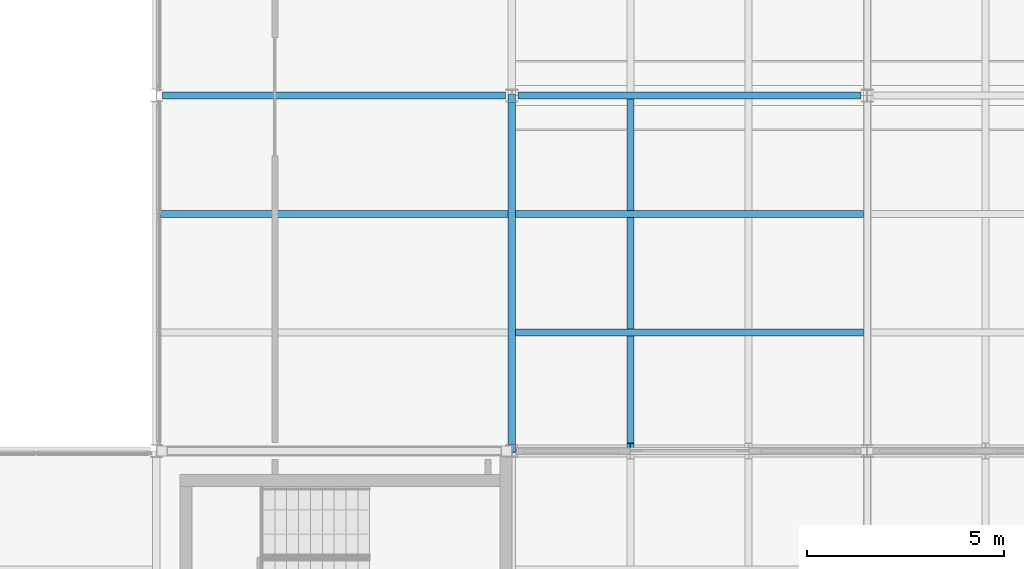
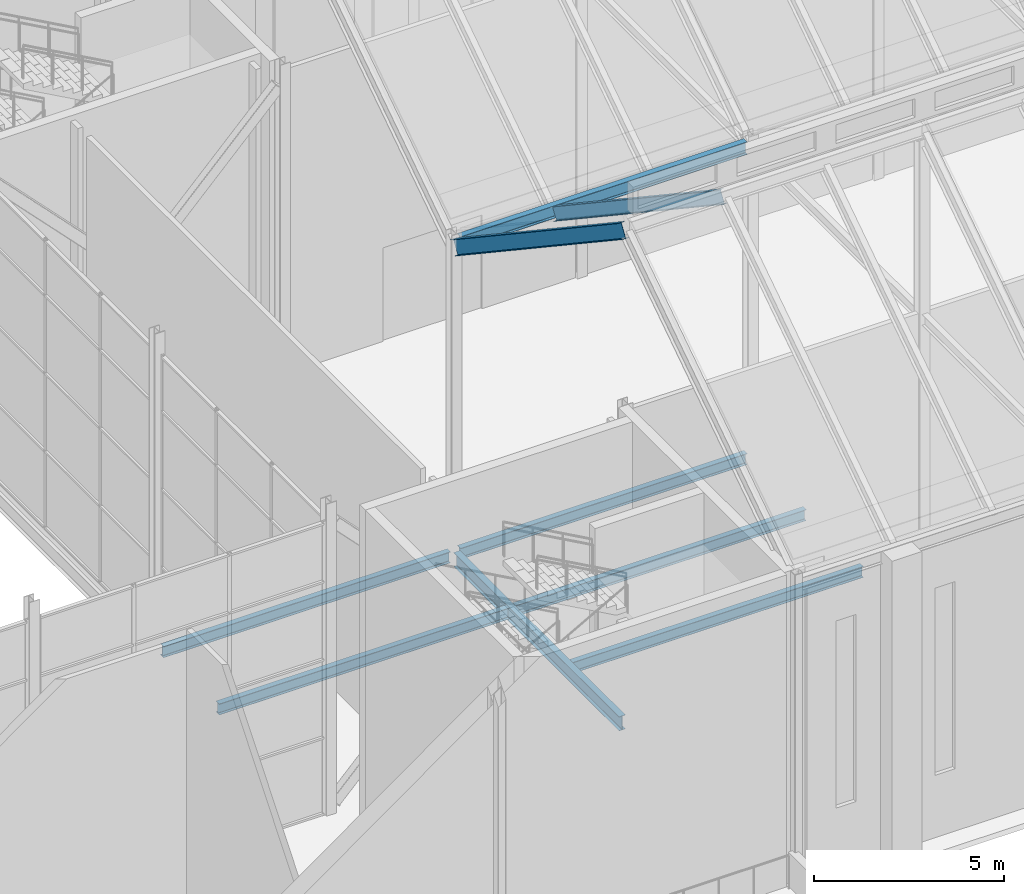
# One storey, part 55 of 111: 7 beams, 2 members.
"""IFC4 building model written with IfcOpenShell, lengths in metres."""

from ifc_helpers import new_model, si_unit, direction, frame, origin, origin_2d, place, context, subcontext, project, spatial, i_section, extrude, material, material_profile, profile_set, type_object, element, save


model = new_model("IFC4")

# Units and contexts
model_context = context("Model", 3, precision=1e-05, world=origin(), true_north=direction((0.0, 1.0)))
body_context = subcontext(model_context, "Body", "Model", "MODEL_VIEW")
ifc_project = project(units=[si_unit("LENGTHUNIT", "METRE"), si_unit("AREAUNIT", "SQUARE_METRE"), si_unit("VOLUMEUNIT", "CUBIC_METRE"), si_unit("PLANEANGLEUNIT", "RADIAN"), si_unit("MASSUNIT", "GRAM", prefix="KILO")], contexts=[model_context])

# Site, building, storey
site_placement = place(None, origin())
site = spatial("IfcSite", under=ifc_project, at=site_placement, CompositionType="ELEMENT")
building_placement = place(site_placement, origin())
building = spatial("IfcBuilding", under=site, at=building_placement, Name="Shorebreak Coast Museum", CompositionType="ELEMENT")
storey_placement = place(building_placement, frame((0.0, 0.0, 16.0)))
storey = spatial("IfcBuildingStorey", under=building, at=storey_placement, Name="L03", CompositionType="ELEMENT", Elevation=16.0)

# Beams
ifc_material_1 = material(Name="Steel Grade 300", Category="steel")
ifc_material_profile_1 = material_profile(ifc_material_1, i_section(OverallWidth=0.1708984375, OverallDepth=0.355712890625, WebThickness=0.00732421875, FlangeThickness=0.011474609375, FilletRadius=0.011474609375, at=origin_2d()), Name="360UB50.7")
ifc_profile_set_1 = profile_set([ifc_material_profile_1], Name="Steel Grade 300")
beam_type_1 = type_object("IfcBeamType", Name="Floor girder east-west 360UB50.7", PredefinedType="BEAM", material=ifc_profile_set_1)
beam_1_placement = place(storey_placement, frame((108.155517578125, 72.0, -0.352783203125), z_axis=(1.0, 0.0, 0.0), x_axis=(0.0, 1.0, 0.0)))
element("IfcBeam", 1, at=beam_1_placement, inside=storey, type_object=beam_type_1, Name="Floor girder east-west L03 13J", PredefinedType="BEAM", context=body_context, shape_type="SweptSolid", body=[
    extrude(i_section(OverallWidth=0.1708984375, OverallDepth=0.355712890625, WebThickness=0.00732421875, FlangeThickness=0.011474609375, FilletRadius=0.011474609375, at=origin_2d()), origin(), (0.0, 0.0, 1.0), 8.69091796875),
])
beam_2_placement = place(storey_placement, frame((117.153564453125, 72.0, -0.352783203125), z_axis=(1.0, 0.0, 0.0), x_axis=(0.0, 1.0, 0.0)))
element("IfcBeam", 2, at=beam_2_placement, inside=storey, type_object=beam_type_1, Name="Floor girder east-west L03 14J", PredefinedType="BEAM", context=body_context, shape_type="SweptSolid", body=[
    extrude(i_section(OverallWidth=0.1708984375, OverallDepth=0.355712890625, WebThickness=0.00732421875, FlangeThickness=0.011474609375, FilletRadius=0.011474609375, at=origin_2d()), origin(), (0.0, 0.0, 1.0), 8.69287109375),
])
ifc_material_2 = material(Name="Steel Grade 300", Category="steel")
ifc_material_profile_2 = material_profile(ifc_material_2, i_section(OverallWidth=0.18994140625, OverallDepth=0.453857421875, WebThickness=0.008544921875, FlangeThickness=0.0126953125, FilletRadius=0.011474609375, at=origin_2d()), Name="460UB67.1")
ifc_profile_set_2 = profile_set([ifc_material_profile_2], Name="Steel Grade 300")
beam_type_2 = type_object("IfcBeamType", Name="Floor girder north-south 460UB67.1", PredefinedType="BEAM", material=ifc_profile_set_2)
beam_3_placement = place(storey_placement, frame((117.0, 63.1572265625, -0.40185546875), z_axis=(0.0, 1.0, 0.0), x_axis=(-1.0, 0.0, 0.0)))
element("IfcBeam", 3, at=beam_3_placement, inside=storey, type_object=beam_type_2, Name="Floor girder north-south L03 14H", PredefinedType="BEAM", context=body_context, shape_type="SweptSolid", body=[
    extrude(i_section(OverallWidth=0.18994140625, OverallDepth=0.453857421875, WebThickness=0.008544921875, FlangeThickness=0.0126953125, FilletRadius=0.011474609375, at=origin_2d()), origin(), (0.0, 0.0, 1.0), 8.685546875),
])
ifc_material_3 = material(Name="Steel Grade 300", Category="steel")
ifc_material_profile_3 = material_profile(ifc_material_3, i_section(OverallWidth=0.1708984375, OverallDepth=0.35205078125, WebThickness=0.0068359375, FlangeThickness=0.009765625, FilletRadius=0.011474609375, at=origin_2d()), Name="360UB44.7")
ifc_profile_set_3 = profile_set([ifc_material_profile_3], Name="Steel Grade 300")
beam_type_3 = type_object("IfcBeamType", Name="Floor joist 360UB44.7", PredefinedType="JOIST", material=ifc_profile_set_3)
for number, where, z_axis, x_axis, name in (
    (4, (117.094970703125, 66.0, -0.35107421875), (1.0, 0.0, 0.0), (0.0, 1.0, 0.0), "Floor joist L03 bay 14H at 3000 mm"),
    (5, (117.094970703125, 69.0, -0.35107421875), (1.0, 0.0, 0.0), (0.0, 1.0, 0.0), "Floor joist L03 bay 14H at 6000 mm"),
):
    element("IfcBeam", number, at=place(storey_placement, frame(where, z_axis=z_axis, x_axis=x_axis)), inside=storey, type_object=beam_type_3, Name=name, PredefinedType="JOIST", context=body_context, shape_type="SweptSolid", body=[
        extrude(i_section(OverallWidth=0.1708984375, OverallDepth=0.35205078125, WebThickness=0.0068359375, FlangeThickness=0.009765625, FilletRadius=0.011474609375, at=origin_2d()), origin(), (0.0, 0.0, 1.0), 8.81005859375),
    ])
ifc_material_4 = material(Name="Steel Grade 300", Category="steel")
ifc_material_profile_4 = material_profile(ifc_material_4, i_section(OverallWidth=0.1708984375, OverallDepth=0.355712890625, WebThickness=0.00732421875, FlangeThickness=0.011474609375, FilletRadius=0.011474609375, at=origin_2d()), Name="360UB50.7")
ifc_profile_set_4 = profile_set([ifc_material_profile_4], Name="Steel Grade 300")
beam_type_4 = type_object("IfcBeamType", Name="Floor joist 360UB50.7", PredefinedType="JOIST", material=ifc_profile_set_4)
beam_4_placement = place(storey_placement, frame((108.1044921875, 69.0, -0.352783203125), z_axis=(1.0, 0.0, 0.0), x_axis=(0.0, 1.0, 0.0)))
element("IfcBeam", 6, at=beam_4_placement, inside=storey, type_object=beam_type_4, Name="Floor joist L03 bay 13H at 6000 mm", PredefinedType="JOIST", context=body_context, shape_type="SweptSolid", body=[
    extrude(i_section(OverallWidth=0.1708984375, OverallDepth=0.355712890625, WebThickness=0.00732421875, FlangeThickness=0.011474609375, FilletRadius=0.011474609375, at=origin_2d()), origin(), (0.0, 0.0, 1.0), 8.800537109375),
])

# Members
ifc_material_5 = material(Name="Steel Grade 300", Category="steel")
ifc_material_profile_5 = material_profile(ifc_material_5, i_section(OverallWidth=0.177978515625, OverallDepth=0.402587890625, WebThickness=0.007568359375, FlangeThickness=0.010986328125, FilletRadius=0.011474609375, at=origin_2d()), Name="410UB53.7")
ifc_profile_set_5 = profile_set([ifc_material_profile_5], Name="Steel Grade 300")
member_type_1 = type_object("IfcMemberType", Name="Fold rafter 410UB53.7", PredefinedType="RAFTER", material=ifc_profile_set_5)
member_1_placement = place(storey_placement, frame((120.0, 63.089111328125, 15.458251953125), z_axis=(0.0, 0.832043209162, -0.554710823842), x_axis=(-1.0, 0.0, 0.0)))
element("IfcMember", 7, at=member_1_placement, inside=storey, type_object=member_type_1, Name="Fold rafter FOLD-E line 2 02", PredefinedType="RAFTER", context=body_context, shape_type="SweptSolid", body=[
    extrude(i_section(OverallWidth=0.177978515625, OverallDepth=0.402587890625, WebThickness=0.007568359375, FlangeThickness=0.010986328125, FilletRadius=0.011474609375, at=origin_2d()), origin(), (0.0, 0.0, 1.0), 10.6025390625),
])
ifc_material_6 = material(Name="Steel Grade 300", Category="steel")
ifc_material_profile_6 = material_profile(ifc_material_6, i_section(OverallWidth=0.18994140625, OverallDepth=0.453857421875, WebThickness=0.008544921875, FlangeThickness=0.0126953125, FilletRadius=0.011474609375, at=origin_2d()), Name="460UB67.1")
ifc_profile_set_6 = profile_set([ifc_material_profile_6], Name="Steel Grade 300")
member_type_2 = type_object("IfcMemberType", Name="Fold rib rafter 460UB67.1", PredefinedType="RAFTER", material=ifc_profile_set_6)
member_2_placement = place(storey_placement, frame((117.0, 63.089111328125, 15.427490234375), z_axis=(0.0, 0.832043209162, -0.554710823842), x_axis=(-1.0, 0.0, 0.0)))
element("IfcMember", 8, at=member_2_placement, inside=storey, type_object=member_type_2, Name="Fold rib rafter FOLD-E line 2 01", PredefinedType="RAFTER", context=body_context, shape_type="SweptSolid", body=[
    extrude(i_section(OverallWidth=0.18994140625, OverallDepth=0.453857421875, WebThickness=0.008544921875, FlangeThickness=0.0126953125, FilletRadius=0.011474609375, at=origin_2d()), origin(), (0.0, 0.0, 1.0), 10.6025390625),
])

# Beam
ifc_material_7 = material(Name="Steel Grade 300", Category="steel")
ifc_material_profile_7 = material_profile(ifc_material_7, i_section(OverallWidth=0.177978515625, OverallDepth=0.406494140625, WebThickness=0.0078125, FlangeThickness=0.0126953125, FilletRadius=0.011474609375, at=origin_2d()), Name="410UB59.7")
ifc_profile_set_7 = profile_set([ifc_material_profile_7], Name="Steel Grade 300")
beam_type_5 = type_object("IfcBeamType", Name="Fold valley girder 410UB59.7", PredefinedType="BEAM", material=ifc_profile_set_7)
beam_5_placement = place(storey_placement, frame((117.152587890625, 72.0, 9.61572265625), z_axis=(1.0, 0.0, 0.0), x_axis=(0.0, 1.0, 0.0)))
element("IfcBeam", 9, at=beam_5_placement, inside=storey, type_object=beam_type_5, Name="Fold valley girder FOLD-E line J bay 14J", PredefinedType="BEAM", context=body_context, shape_type="SweptSolid", body=[
    extrude(i_section(OverallWidth=0.177978515625, OverallDepth=0.406494140625, WebThickness=0.0078125, FlangeThickness=0.0126953125, FilletRadius=0.011474609375, at=origin_2d()), origin(), (0.0, 0.0, 1.0), 8.69482421875),
])

save(model, "model.ifc")
